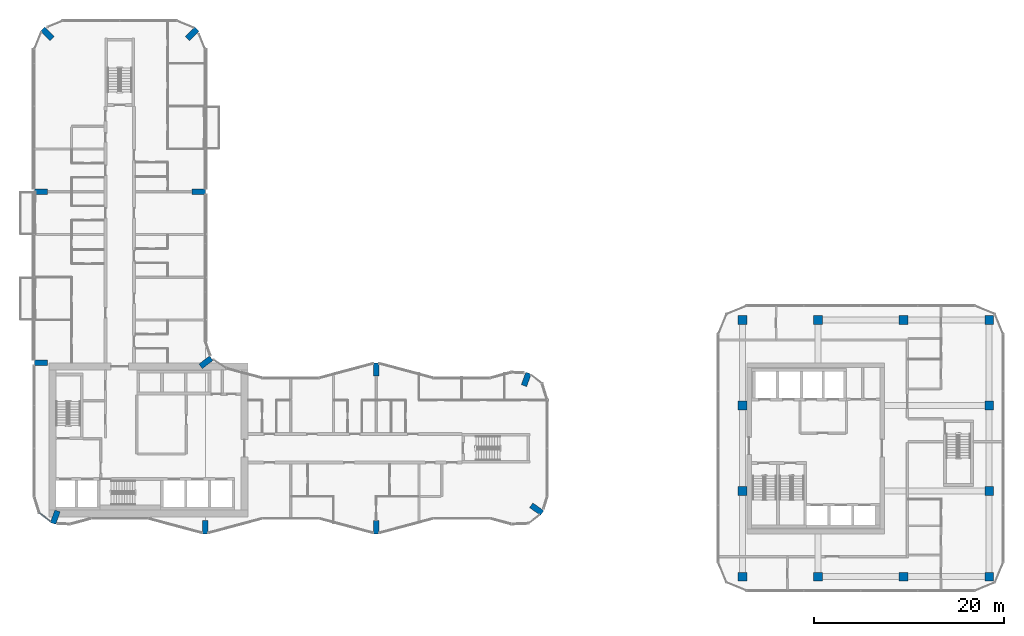
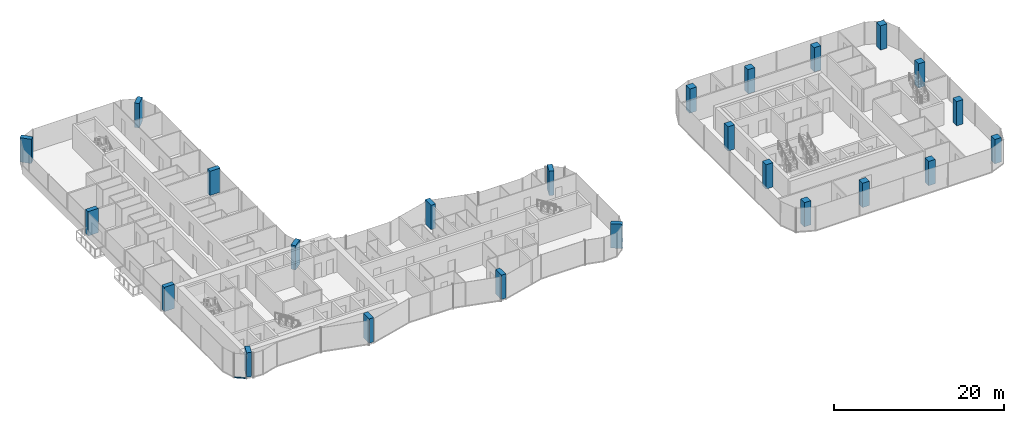
# One storey, part 1 of 24: 24 columns, 1 member, 1 element without a shape of its own.
"""IFC4 building model written with IfcOpenShell, lengths in metres."""

from ifc_helpers import new_model, si_unit, direction, frame, origin, origin_2d, place, context, subcontext, project, spatial, rectangle, extrude, material, layer, layer_set, material_profile, profile_set, type_object, element, aggregate, save


model = new_model("IFC4")

# Units and contexts
model_context = context("Model", 3, precision=1e-05, world=origin(), true_north=direction((0.0, 1.0)))
body_context = subcontext(model_context, "Body", "Model", "MODEL_VIEW")
ifc_project = project(units=[si_unit("LENGTHUNIT", "METRE"), si_unit("AREAUNIT", "SQUARE_METRE"), si_unit("VOLUMEUNIT", "CUBIC_METRE"), si_unit("PLANEANGLEUNIT", "RADIAN"), si_unit("MASSUNIT", "GRAM", prefix="KILO")], contexts=[model_context])

# Site, building, storey
site_placement = place(None, origin())
site = spatial("IfcSite", under=ifc_project, at=site_placement, CompositionType="ELEMENT")
building_placement = place(site_placement, origin())
building = spatial("IfcBuilding", under=site, at=building_placement, Name="Plateau Cross Towers", CompositionType="ELEMENT")
storey_placement = place(building_placement, frame((0.0, 0.0, 51.300048828125)))
storey = spatial("IfcBuildingStorey", under=building, at=storey_placement, Name="L12", CompositionType="ELEMENT", Elevation=51.300048828125)

# Columns
ifc_material_1 = material(Name="Concrete C60/75", Category="concrete")
ifc_material_profile_1 = material_profile(ifc_material_1, rectangle(XDim=0.60009765625, YDim=1.39990234375, at=origin_2d()), Name="RC 600x1400")
ifc_profile_set_1 = profile_set([ifc_material_profile_1], Name="Concrete C60/75")
column_type_1 = type_object("IfcColumnType", Name="Fin pier column RC 600x1400", PredefinedType="COLUMN", material=ifc_profile_set_1)
for number, where, z_axis, x_axis, name in (
    (1, (18.0, 0.699951171875, 0.0), (0.0, 0.0, 1.0), (1.0, 0.0, 0.0), "PR1 L12"),
    (2, (36.0, 0.699951171875, 0.0), (0.0, 0.0, 1.0), (1.0, 0.0, 0.0), "PR2 L12"),
    (3, (52.884033203125, 2.590087890625, 0.0), (0.0, 0.0, 1.0), (0.573542637991, 0.819175709117, 0.0), "PR3 L12"),
    (4, (51.786865234375, 16.251953125, 0.0), (0.0, 0.0, 1.0), (-0.939664280925, 0.342097996418, 0.0), "PR4 L12"),
    (5, (36.0, 17.300048828125, 0.0), (0.0, 0.0, 1.0), (1.0, 0.0, 0.0), "PR5 L12"),
    (6, (18.064697265625, 18.049560546875, 0.0), (0.0, 0.0, 1.0), (-0.608810846443, 0.793315418515, 0.0), "PR6 L12"),
    (7, (17.300048828125, 36.0, 0.0), (0.0, 0.0, 1.0), (0.0, 1.0, 0.0), "PR7 L12"),
    (8, (16.62646484375, 52.62646484375, 0.0), (0.0, 0.0, 1.0), (-0.707106781187, 0.707106781187, 0.0), "PR8 L12"),
    (9, (1.37353515625, 52.62646484375, 0.0), (0.0, 0.0, 1.0), (0.707106781187, 0.707106781187, 0.0), "PR9 L12"),
    (10, (0.699951171875, 36.0, 0.0), (0.0, 0.0, 1.0), (0.0, 1.0, 0.0), "PR10 L12"),
    (11, (0.699951171875, 18.0, 0.0), (0.0, 0.0, 1.0), (0.0, 1.0, 0.0), "PR11 L12"),
    (12, (2.213134765625, 1.748046875, 0.0), (0.0, 0.0, 1.0), (-0.939664280925, 0.342097996418, 0.0), "PR12 L12"),
):
    element("IfcColumn", number, at=place(storey_placement, frame(where, z_axis=z_axis, x_axis=x_axis)), inside=storey, type_object=column_type_1, Name=name, PredefinedType="COLUMN", context=body_context, shape_type="SweptSolid", body=[
        extrude(rectangle(XDim=0.60009765625, YDim=1.39990234375, at=origin_2d()), origin(), (0.0, 0.0, 1.0), 3.5),
    ])
ifc_material_profile_2 = material_profile(ifc_material_1, rectangle(XDim=0.89990234375, YDim=0.89990234375, at=origin_2d()), Name="RC 900x900")
ifc_profile_set_2 = profile_set([ifc_material_profile_2], Name="Concrete C60/75")
column_type_2 = type_object("IfcColumnType", Name="Office column RC 900x900", PredefinedType="COLUMN", material=ifc_profile_set_2)
for number, where, z_axis, x_axis, name in (
    (13, (74.550048828125, -4.5, 0.0), (0.0, 0.0, 1.0), (1.0, 0.0, 0.0), "B-C746_-45 L12"),
    (14, (82.5, -4.5, 0.0), (0.0, 0.0, 1.0), (1.0, 0.0, 0.0), "B-C825_-45 L12"),
    (15, (91.5, -4.5, 0.0), (0.0, 0.0, 1.0), (1.0, 0.0, 0.0), "B-C915_-45 L12"),
    (16, (100.5, -4.5, 0.0), (0.0, 0.0, 1.0), (1.0, 0.0, 0.0), "B-C1005_-45 L12"),
    (17, (100.5, 4.5, 0.0), (0.0, 0.0, 1.0), (1.0, 0.0, 0.0), "B-C1005_45 L12"),
    (18, (100.5, 13.5, 0.0), (0.0, 0.0, 1.0), (1.0, 0.0, 0.0), "B-C1005_135 L12"),
    (19, (100.5, 22.5, 0.0), (0.0, 0.0, 1.0), (1.0, 0.0, 0.0), "B-C1005_225 L12"),
    (20, (91.5, 22.5, 0.0), (0.0, 0.0, 1.0), (1.0, 0.0, 0.0), "B-C915_225 L12"),
    (21, (82.5, 22.5, 0.0), (0.0, 0.0, 1.0), (1.0, 0.0, 0.0), "B-C825_225 L12"),
    (22, (74.550048828125, 22.5, 0.0), (0.0, 0.0, 1.0), (1.0, 0.0, 0.0), "B-C746_225 L12"),
    (23, (74.550048828125, 13.5, 0.0), (0.0, 0.0, 1.0), (1.0, 0.0, 0.0), "B-C746_135 L12"),
    (24, (74.550048828125, 4.5, 0.0), (0.0, 0.0, 1.0), (1.0, 0.0, 0.0), "B-C746_45 L12"),
):
    element("IfcColumn", number, at=place(storey_placement, frame(where, z_axis=z_axis, x_axis=x_axis)), inside=storey, type_object=column_type_2, Name=name, PredefinedType="COLUMN", context=body_context, shape_type="SweptSolid", body=[
        extrude(rectangle(XDim=0.89990234375, YDim=0.89990234375, at=origin_2d()), origin(), (0.0, 0.0, 1.0), 3.5),
    ])

# Curtain wall, member
ifc_material_2 = material(Name="Dark low-iron glass", Category="glass")
ifc_layer = layer(ifc_material_2, 0.239990234375)
ifc_layer_set = layer_set([ifc_layer], Name="Dark low-iron glass")
curtain_wall_type = type_object("IfcCurtainWallType", Name="Curtain wall flush unitised CW-B", PredefinedType="NOTDEFINED", material=ifc_layer_set)
curtain_wall_placement = place(storey_placement, origin())
curtain_wall = element("IfcCurtainWall", 25, at=curtain_wall_placement, inside=storey, type_object=curtain_wall_type, Name="ENV/A/L12/A5_22", PredefinedType="NOTDEFINED")
ifc_material_3 = material(Name="Black anodised aluminium", Category="aluminium")
ifc_material_profile_3 = material_profile(ifc_material_3, rectangle(XDim=0.10009765625, YDim=0.1201171875, at=origin_2d()), Name="TRANSOM 100x120")
ifc_profile_set_3 = profile_set([ifc_material_profile_3], Name="Black anodised aluminium")
member_type = type_object("IfcMemberType", Name="Transom 100x120 flush unitised", PredefinedType="USERDEFINED", material=ifc_profile_set_3)
member_placement = place(storey_placement, frame((0.54248046875, 2.1884765625, -0.18994140625), z_axis=(0.793320508571, -0.608804213751, 0.0), x_axis=(0.608804213751, 0.793320508571, 0.0)))
member = element("IfcMember", 26, at=member_placement, type_object=member_type, Name="CW-B transom", ObjectType="TRANSOM", PredefinedType="USERDEFINED", context=body_context, shape_type="SweptSolid", body=[
    extrude(rectangle(XDim=0.10009765625, YDim=0.1201171875, at=origin_2d()), origin(), (0.0, 0.0, 1.0), 1.471435546875),
])
aggregate(curtain_wall, [member])

save(model, "model.ifc")
